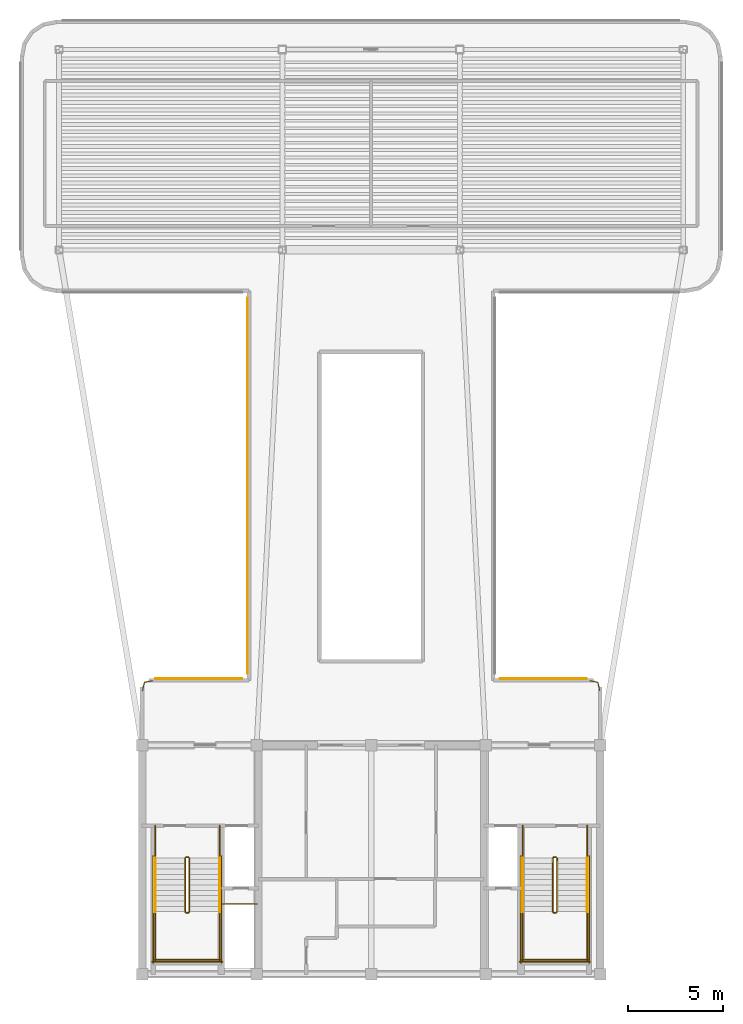
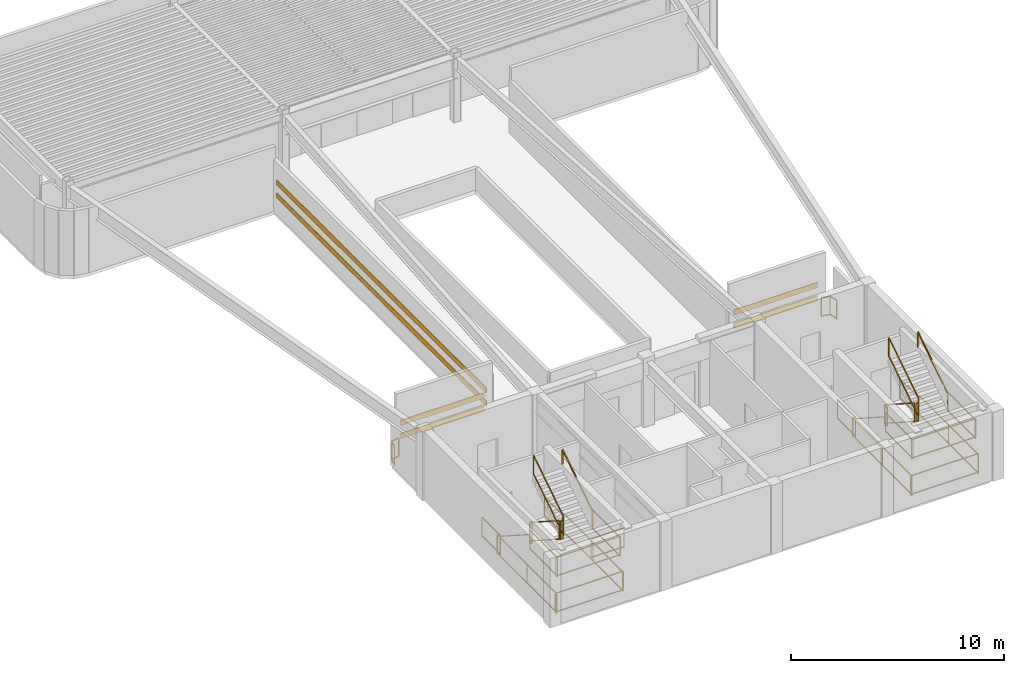
# One storey, part 5 of 6: 31 railings, 6 shading devices.
"""IFC4 building model written with IfcOpenShell, lengths in metres."""

from ifc_helpers import new_model, si_unit, direction, frame, origin, origin_2d, place, context, subcontext, project, spatial, rectangle, extrude, source, transform, mapped, material, layer, layer_set, material_profile, profile_set, type_object, element, save


model = new_model("IFC4")

# Units and contexts
model_context = context("Model", 3, precision=1e-05, world=origin(), true_north=direction((0.0, 1.0)))
body_context = subcontext(model_context, "Body", "Model", "MODEL_VIEW")
ifc_project = project(units=[si_unit("LENGTHUNIT", "METRE"), si_unit("AREAUNIT", "SQUARE_METRE"), si_unit("VOLUMEUNIT", "CUBIC_METRE"), si_unit("PLANEANGLEUNIT", "RADIAN"), si_unit("MASSUNIT", "GRAM", prefix="KILO")], contexts=[model_context])

# Site, building, storey
site_placement = place(None, origin())
site = spatial("IfcSite", under=ifc_project, at=site_placement, CompositionType="ELEMENT")
building_placement = place(site_placement, origin())
building = spatial("IfcBuilding", under=site, at=building_placement, Name="Brelvock Crest Care Tower", CompositionType="ELEMENT")
storey_placement = place(building_placement, frame((0.0, 0.0, 295.919921875)))
storey = spatial("IfcBuildingStorey", under=building, at=storey_placement, Name="L75", CompositionType="ELEMENT", Elevation=295.919921875)

# Railings
ifc_material_1 = material(Name="Steel Grade 350", Category="steel")
ifc_layer_1 = layer(ifc_material_1, 0.06005859375, Name="RL-GRD1")
ifc_layer_set_1 = layer_set([ifc_layer_1], Name="Steel Grade 350")
railing_type_1 = type_object("IfcRailingType", Name="RL-GRD1", PredefinedType="GUARDRAIL", material=ifc_layer_set_1)
railing_1_placement = place(storey_placement, frame((24.02001953125, 20.85009765625, 0.004150390625)))
element("IfcRailing", 1, at=railing_1_placement, inside=storey, type_object=railing_type_1, Name="L75 West Throat Corner Guard", PredefinedType="GUARDRAIL", context=body_context, shape_type="SweptSolid", body=[
    extrude(rectangle(XDim=0.048095703125, YDim=0.048095703125, at=origin_2d()), frame((0.00048828125, 0.001953125, 1.09619140625), z_axis=(0.21715477266, 0.976137185395, 0.0), x_axis=(-0.976137185395, 0.21715477266, 0.0)), (0.0, 0.0, 1.0), 0.45703125),
    extrude(rectangle(XDim=0.048095703125, YDim=0.048095703125, at=origin_2d()), frame((0.00048828125, 0.001953125, 0.054931640625), z_axis=(0.21715477266, 0.976137185395, 0.0), x_axis=(-0.976137185395, 0.21715477266, 0.0)), (0.0, 0.0, 1.0), 0.45703125),
    extrude(rectangle(XDim=0.048095703125, YDim=0.048095703125, at=origin_2d()), frame((0.10205078125, 0.4501953125, 1.09619140625), z_axis=(0.983193031384, 0.182569063749, 0.0), x_axis=(-0.182569063749, 0.983193031384, 0.0)), (0.0, 0.0, 1.0), 0.433349609375),
    extrude(rectangle(XDim=0.048095703125, YDim=0.048095703125, at=origin_2d()), frame((0.10205078125, 0.4501953125, 0.054931640625), z_axis=(0.983193031384, 0.182569063749, 0.0), x_axis=(-0.182569063749, 0.983193031384, 0.0)), (0.0, 0.0, 1.0), 0.433349609375),
    extrude(rectangle(XDim=0.0419921875, YDim=0.0419921875, at=origin_2d()), origin(), (0.0, 0.0, 1.0), 1.070068359375),
    extrude(rectangle(XDim=0.0419921875, YDim=0.0419921875, at=origin_2d()), frame((0.10009765625, 0.449951171875, 0.0)), (0.0, 0.0, 1.0), 1.070068359375),
    extrude(rectangle(XDim=0.0419921875, YDim=0.0419921875, at=origin_2d()), frame((0.530029296875, 0.52978515625, 0.0)), (0.0, 0.0, 1.0), 1.070068359375),
])
railing_2_placement = place(storey_placement, frame((47.449951171875, 21.3798828125, 0.004150390625)))
element("IfcRailing", 2, at=railing_2_placement, inside=storey, type_object=railing_type_1, Name="L75 East Throat Corner Guard", PredefinedType="GUARDRAIL", context=body_context, shape_type="SweptSolid", body=[
    extrude(rectangle(XDim=0.048095703125, YDim=0.048095703125, at=origin_2d()), frame((0.001953125, -0.000244140625, 1.09619140625), z_axis=(0.983193031384, -0.182569063749, 0.0), x_axis=(0.182569063749, 0.983193031384, 0.0)), (0.0, 0.0, 1.0), 0.433349609375),
    extrude(rectangle(XDim=0.048095703125, YDim=0.048095703125, at=origin_2d()), frame((0.001953125, -0.000244140625, 0.054931640625), z_axis=(0.983193031384, -0.182569063749, 0.0), x_axis=(0.182569063749, 0.983193031384, 0.0)), (0.0, 0.0, 1.0), 0.433349609375),
    extrude(rectangle(XDim=0.048095703125, YDim=0.048095703125, at=origin_2d()), frame((0.430419921875, -0.081787109375, 1.09619140625), z_axis=(0.21715477266, -0.976137185395, 0.0), x_axis=(0.976137185395, 0.21715477266, 0.0)), (0.0, 0.0, 1.0), 0.45703125),
    extrude(rectangle(XDim=0.048095703125, YDim=0.048095703125, at=origin_2d()), frame((0.430419921875, -0.081787109375, 0.054931640625), z_axis=(0.21715477266, -0.976137185395, 0.0), x_axis=(0.976137185395, 0.21715477266, 0.0)), (0.0, 0.0, 1.0), 0.45703125),
    extrude(rectangle(XDim=0.0419921875, YDim=0.0419921875, at=origin_2d()), origin(), (0.0, 0.0, 1.0), 1.070068359375),
    extrude(rectangle(XDim=0.0419921875, YDim=0.0419921875, at=origin_2d()), frame((0.429931640625, -0.079833984375, 0.0)), (0.0, 0.0, 1.0), 1.070068359375),
    extrude(rectangle(XDim=0.0419921875, YDim=0.0419921875, at=origin_2d()), frame((0.530029296875, -0.52978515625, 0.0)), (0.0, 0.0, 1.0), 1.070068359375),
])
ifc_layer_2 = layer(ifc_material_1, 0.050048828125, Name="RL-STG1")
ifc_layer_set_2 = layer_set([ifc_layer_2], Name="Steel Grade 350")
railing_type_2 = type_object("IfcRailingType", Name="RL-STG1", PredefinedType="GUARDRAIL", material=ifc_layer_set_2)
railing_3_placement = place(storey_placement, frame((26.260009765625, 12.080078125, 0.18017578125)))
element("IfcRailing", 3, at=railing_3_placement, inside=storey, type_object=railing_type_2, Name="L75 ST-1 stair guard 1", PredefinedType="GUARDRAIL", context=body_context, shape_type="SweptSolid", body=[
    extrude(rectangle(XDim=0.048095703125, YDim=0.048095703125, at=origin_2d()), frame((0.0, -0.001708984375, 1.116943359375), z_axis=(0.0, -0.841209454229, 0.540709398952), x_axis=(1.0, 0.0, 0.0)), (0.0, 0.0, 1.0), 3.32470703125),
    extrude(rectangle(XDim=0.048095703125, YDim=0.048095703125, at=origin_2d()), frame((0.0, -0.001708984375, 0.05615234375), z_axis=(0.0, -0.841209454229, 0.540709398952), x_axis=(1.0, 0.0, 0.0)), (0.0, 0.0, 1.0), 3.32470703125),
    extrude(rectangle(XDim=0.0419921875, YDim=0.0419921875, at=origin_2d()), origin(), (0.0, 0.0, 1.0), 1.08984375),
    extrude(rectangle(XDim=0.0419921875, YDim=0.0419921875, at=origin_2d()), frame((0.0, -2.800048828125, 1.7998046875)), (0.0, 0.0, 1.0), 1.08984375),
])
railing_4_placement = place(storey_placement, frame((26.31005859375, 9.22998046875, 1.97998046875)))
element("IfcRailing", 4, at=railing_4_placement, inside=storey, type_object=railing_type_2, Name="L75 ST-1 stair guard 2", PredefinedType="GUARDRAIL", context=body_context, shape_type="SweptSolid", body=[
    extrude(rectangle(XDim=0.048095703125, YDim=0.048095703125, at=origin_2d()), frame((0.001953125, 0.0, 1.11572265625), z_axis=(1.0, 0.0, 0.0), x_axis=(0.0, 1.0, 0.0)), (0.0, 0.0, 1.0), 0.115966796875),
    extrude(rectangle(XDim=0.048095703125, YDim=0.048095703125, at=origin_2d()), frame((0.001953125, 0.0, 0.054931640625), z_axis=(1.0, 0.0, 0.0), x_axis=(0.0, 1.0, 0.0)), (0.0, 0.0, 1.0), 0.115966796875),
    extrude(rectangle(XDim=0.0419921875, YDim=0.0419921875, at=origin_2d()), origin(), (0.0, 0.0, 1.0), 1.08984375),
    extrude(rectangle(XDim=0.0419921875, YDim=0.0419921875, at=origin_2d()), frame((0.119873046875, 0.0, 0.0)), (0.0, 0.0, 1.0), 1.08984375),
])
for number, where, name in (
    (5, (24.679931640625, 9.280029296875, 1.97998046875), "L75 ST-1 stair guard 3"),
    (6, (28.06005859375, 9.280029296875, 1.97998046875), "L75 ST-1 stair guard 4"),
):
    element("IfcRailing", number, at=place(storey_placement, frame(where)), inside=storey, type_object=railing_type_2, Name=name, PredefinedType="GUARDRAIL", context=body_context, shape_type="SweptSolid", body=[
        extrude(rectangle(XDim=0.048095703125, YDim=0.048095703125, at=origin_2d()), frame((0.0, -0.001953125, 1.11572265625), z_axis=(0.0, -1.0, 0.0), x_axis=(1.0, 0.0, 0.0)), (0.0, 0.0, 1.0), 2.576171875),
        extrude(rectangle(XDim=0.048095703125, YDim=0.048095703125, at=origin_2d()), frame((0.0, -0.001953125, 0.054931640625), z_axis=(0.0, -1.0, 0.0), x_axis=(1.0, 0.0, 0.0)), (0.0, 0.0, 1.0), 2.576171875),
        extrude(rectangle(XDim=0.0419921875, YDim=0.0419921875, at=origin_2d()), origin(), (0.0, 0.0, 1.0), 1.08984375),
        extrude(rectangle(XDim=0.0419921875, YDim=0.0419921875, at=origin_2d()), frame((0.0, -2.580078125, 0.0)), (0.0, 0.0, 1.0), 1.08984375),
    ])
railing_5_placement = place(storey_placement, frame((24.6298828125, 6.75, 1.97998046875)))
element("IfcRailing", 7, at=railing_5_placement, inside=storey, type_object=railing_type_2, Name="L75 ST-1 stair guard 5", PredefinedType="GUARDRAIL", context=body_context, shape_type="SweptSolid", body=[
    extrude(rectangle(XDim=0.048095703125, YDim=0.048095703125, at=origin_2d()), frame((0.001953125, 0.0, 1.11572265625), z_axis=(1.0, 0.0, 0.0), x_axis=(0.0, 1.0, 0.0)), (0.0, 0.0, 1.0), 3.476318359375),
    extrude(rectangle(XDim=0.048095703125, YDim=0.048095703125, at=origin_2d()), frame((0.001953125, 0.0, 0.054931640625), z_axis=(1.0, 0.0, 0.0), x_axis=(0.0, 1.0, 0.0)), (0.0, 0.0, 1.0), 3.476318359375),
    extrude(rectangle(XDim=0.0419921875, YDim=0.0419921875, at=origin_2d()), origin(), (0.0, 0.0, 1.0), 1.08984375),
    extrude(rectangle(XDim=0.0419921875, YDim=0.0419921875, at=origin_2d()), frame((3.480224609375, 0.0, 0.0)), (0.0, 0.0, 1.0), 1.08984375),
])
railing_6_placement = place(storey_placement, frame((26.47998046875, 9.280029296875, 2.16015625)))
element("IfcRailing", 8, at=railing_6_placement, inside=storey, type_object=railing_type_2, Name="L75 ST-1 stair guard 6", PredefinedType="GUARDRAIL", context=body_context, shape_type="SweptSolid", body=[
    extrude(rectangle(XDim=0.048095703125, YDim=0.048095703125, at=origin_2d()), frame((0.0, 0.001708984375, 1.116943359375), z_axis=(0.0, 0.841209454229, 0.540709398952), x_axis=(-1.0, 0.0, 0.0)), (0.0, 0.0, 1.0), 3.32470703125),
    extrude(rectangle(XDim=0.048095703125, YDim=0.048095703125, at=origin_2d()), frame((0.0, 0.001708984375, 0.05615234375), z_axis=(0.0, 0.841209454229, 0.540709398952), x_axis=(-1.0, 0.0, 0.0)), (0.0, 0.0, 1.0), 3.32470703125),
    extrude(rectangle(XDim=0.0419921875, YDim=0.0419921875, at=origin_2d()), origin(), (0.0, 0.0, 1.0), 1.08984375),
    extrude(rectangle(XDim=0.0419921875, YDim=0.0419921875, at=origin_2d()), frame((0.0, 2.800048828125, 1.7998046875)), (0.0, 0.0, 1.0), 1.08984375),
])
railing_7_placement = place(storey_placement, frame((26.31005859375, 12.1298828125, 0.0)))
element("IfcRailing", 9, at=railing_7_placement, inside=storey, type_object=railing_type_2, Name="L75 ST-1 stair guard 7", PredefinedType="GUARDRAIL", context=body_context, shape_type="SweptSolid", body=[
    extrude(rectangle(XDim=0.048095703125, YDim=0.048095703125, at=origin_2d()), frame((0.001953125, 0.0, 1.11572265625), z_axis=(1.0, 0.0, 0.0), x_axis=(0.0, 1.0, 0.0)), (0.0, 0.0, 1.0), 0.115966796875),
    extrude(rectangle(XDim=0.048095703125, YDim=0.048095703125, at=origin_2d()), frame((0.001953125, 0.0, 0.054931640625), z_axis=(1.0, 0.0, 0.0), x_axis=(0.0, 1.0, 0.0)), (0.0, 0.0, 1.0), 0.115966796875),
    extrude(rectangle(XDim=0.0419921875, YDim=0.0419921875, at=origin_2d()), origin(), (0.0, 0.0, 1.0), 1.08984375),
    extrude(rectangle(XDim=0.0419921875, YDim=0.0419921875, at=origin_2d()), frame((0.119873046875, 0.0, 0.0)), (0.0, 0.0, 1.0), 1.08984375),
])
for number, where, name in (
    (10, (24.679931640625, 13.780029296875, 0.0), "L75 ST-1 stair guard 8"),
    (11, (28.06005859375, 13.780029296875, 0.0), "L75 ST-1 stair guard 9"),
):
    element("IfcRailing", number, at=place(storey_placement, frame(where)), inside=storey, type_object=railing_type_2, Name=name, PredefinedType="GUARDRAIL", context=body_context, shape_type="SweptSolid", body=[
        extrude(rectangle(XDim=0.048095703125, YDim=0.048095703125, at=origin_2d()), frame((0.0, -0.001953125, 1.11572265625), z_axis=(0.0, -1.0, 0.0), x_axis=(1.0, 0.0, 0.0)), (0.0, 0.0, 1.0), 1.696044921875),
        extrude(rectangle(XDim=0.048095703125, YDim=0.048095703125, at=origin_2d()), frame((0.0, -0.001953125, 0.054931640625), z_axis=(0.0, -1.0, 0.0), x_axis=(1.0, 0.0, 0.0)), (0.0, 0.0, 1.0), 1.696044921875),
        extrude(rectangle(XDim=0.0419921875, YDim=0.0419921875, at=origin_2d()), origin(), (0.0, 0.0, 1.0), 1.08984375),
        extrude(rectangle(XDim=0.0419921875, YDim=0.0419921875, at=origin_2d()), frame((0.0, -1.699951171875, 0.0)), (0.0, 0.0, 1.0), 1.08984375),
    ])
for number, where, name in (
    (12, (24.580078125, 12.179931640625, 0.0), "L75 ST-1 stair guard 10"),
    (13, (28.159912109375, 12.179931640625, 0.0), "L75 ST-1 stair guard 11"),
):
    element("IfcRailing", number, at=place(storey_placement, frame(where)), inside=storey, type_object=railing_type_2, Name=name, PredefinedType="GUARDRAIL", context=body_context, shape_type="SweptSolid", body=[
        extrude(rectangle(XDim=0.048095703125, YDim=0.048095703125, at=origin_2d()), frame((0.0, -0.001953125, 1.11572265625), z_axis=(0.0, -1.0, 0.0), x_axis=(1.0, 0.0, 0.0)), (0.0, 0.0, 1.0), 5.575927734375),
        extrude(rectangle(XDim=0.048095703125, YDim=0.048095703125, at=origin_2d()), frame((0.0, -0.001953125, 0.054931640625), z_axis=(0.0, -1.0, 0.0), x_axis=(1.0, 0.0, 0.0)), (0.0, 0.0, 1.0), 5.575927734375),
        extrude(rectangle(XDim=0.0419921875, YDim=0.0419921875, at=origin_2d()), origin(), (0.0, 0.0, 1.0), 1.08984375),
        extrude(rectangle(XDim=0.0419921875, YDim=0.0419921875, at=origin_2d()), frame((0.0, -2.7900390625, 0.0)), (0.0, 0.0, 1.0), 1.08984375),
        extrude(rectangle(XDim=0.0419921875, YDim=0.0419921875, at=origin_2d()), frame((0.0, -5.579833984375, 0.0)), (0.0, 0.0, 1.0), 1.08984375),
    ])
railing_8_placement = place(storey_placement, frame((24.530029296875, 6.64990234375, 0.0)))
element("IfcRailing", 14, at=railing_8_placement, inside=storey, type_object=railing_type_2, Name="L75 ST-1 stair guard 12", PredefinedType="GUARDRAIL", context=body_context, shape_type="SweptSolid", body=[
    extrude(rectangle(XDim=0.048095703125, YDim=0.048095703125, at=origin_2d()), frame((0.001953125, 0.0, 1.11572265625), z_axis=(1.0, 0.0, 0.0), x_axis=(0.0, 1.0, 0.0)), (0.0, 0.0, 1.0), 3.676025390625),
    extrude(rectangle(XDim=0.048095703125, YDim=0.048095703125, at=origin_2d()), frame((0.001953125, 0.0, 0.054931640625), z_axis=(1.0, 0.0, 0.0), x_axis=(0.0, 1.0, 0.0)), (0.0, 0.0, 1.0), 3.676025390625),
    extrude(rectangle(XDim=0.0419921875, YDim=0.0419921875, at=origin_2d()), origin(), (0.0, 0.0, 1.0), 1.08984375),
    extrude(rectangle(XDim=0.0419921875, YDim=0.0419921875, at=origin_2d()), frame((3.679931640625, 0.0, 0.0)), (0.0, 0.0, 1.0), 1.08984375),
])
railing_9_placement = place(storey_placement, frame((45.52001953125, 12.080078125, 0.18017578125)))
element("IfcRailing", 15, at=railing_9_placement, inside=storey, type_object=railing_type_2, Name="L75 ST-2 stair guard 1", PredefinedType="GUARDRAIL", context=body_context, shape_type="SweptSolid", body=[
    extrude(rectangle(XDim=0.048095703125, YDim=0.048095703125, at=origin_2d()), frame((0.0, -0.001708984375, 1.116943359375), z_axis=(0.0, -0.841209454229, 0.540709398952), x_axis=(1.0, 0.0, 0.0)), (0.0, 0.0, 1.0), 3.32470703125),
    extrude(rectangle(XDim=0.048095703125, YDim=0.048095703125, at=origin_2d()), frame((0.0, -0.001708984375, 0.05615234375), z_axis=(0.0, -0.841209454229, 0.540709398952), x_axis=(1.0, 0.0, 0.0)), (0.0, 0.0, 1.0), 3.32470703125),
    extrude(rectangle(XDim=0.0419921875, YDim=0.0419921875, at=origin_2d()), origin(), (0.0, 0.0, 1.0), 1.08984375),
    extrude(rectangle(XDim=0.0419921875, YDim=0.0419921875, at=origin_2d()), frame((0.0, -2.800048828125, 1.7998046875)), (0.0, 0.0, 1.0), 1.08984375),
])
railing_10_placement = place(storey_placement, frame((45.570068359375, 9.22998046875, 1.97998046875)))
element("IfcRailing", 16, at=railing_10_placement, inside=storey, type_object=railing_type_2, Name="L75 ST-2 stair guard 2", PredefinedType="GUARDRAIL", context=body_context, shape_type="SweptSolid", body=[
    extrude(rectangle(XDim=0.048095703125, YDim=0.048095703125, at=origin_2d()), frame((0.001953125, 0.0, 1.11572265625), z_axis=(1.0, 0.0, 0.0), x_axis=(0.0, 1.0, 0.0)), (0.0, 0.0, 1.0), 0.115966796875),
    extrude(rectangle(XDim=0.048095703125, YDim=0.048095703125, at=origin_2d()), frame((0.001953125, 0.0, 0.054931640625), z_axis=(1.0, 0.0, 0.0), x_axis=(0.0, 1.0, 0.0)), (0.0, 0.0, 1.0), 0.115966796875),
    extrude(rectangle(XDim=0.0419921875, YDim=0.0419921875, at=origin_2d()), origin(), (0.0, 0.0, 1.0), 1.08984375),
    extrude(rectangle(XDim=0.0419921875, YDim=0.0419921875, at=origin_2d()), frame((0.119873046875, 0.0, 0.0)), (0.0, 0.0, 1.0), 1.08984375),
])
for number, where, name in (
    (17, (43.93994140625, 9.280029296875, 1.97998046875), "L75 ST-2 stair guard 3"),
    (18, (47.320068359375, 9.280029296875, 1.97998046875), "L75 ST-2 stair guard 4"),
):
    element("IfcRailing", number, at=place(storey_placement, frame(where)), inside=storey, type_object=railing_type_2, Name=name, PredefinedType="GUARDRAIL", context=body_context, shape_type="SweptSolid", body=[
        extrude(rectangle(XDim=0.048095703125, YDim=0.048095703125, at=origin_2d()), frame((0.0, -0.001953125, 1.11572265625), z_axis=(0.0, -1.0, 0.0), x_axis=(1.0, 0.0, 0.0)), (0.0, 0.0, 1.0), 2.576171875),
        extrude(rectangle(XDim=0.048095703125, YDim=0.048095703125, at=origin_2d()), frame((0.0, -0.001953125, 0.054931640625), z_axis=(0.0, -1.0, 0.0), x_axis=(1.0, 0.0, 0.0)), (0.0, 0.0, 1.0), 2.576171875),
        extrude(rectangle(XDim=0.0419921875, YDim=0.0419921875, at=origin_2d()), origin(), (0.0, 0.0, 1.0), 1.08984375),
        extrude(rectangle(XDim=0.0419921875, YDim=0.0419921875, at=origin_2d()), frame((0.0, -2.580078125, 0.0)), (0.0, 0.0, 1.0), 1.08984375),
    ])
railing_11_placement = place(storey_placement, frame((43.889892578125, 6.75, 1.97998046875)))
element("IfcRailing", 19, at=railing_11_placement, inside=storey, type_object=railing_type_2, Name="L75 ST-2 stair guard 5", PredefinedType="GUARDRAIL", context=body_context, shape_type="SweptSolid", body=[
    extrude(rectangle(XDim=0.048095703125, YDim=0.048095703125, at=origin_2d()), frame((0.001953125, 0.0, 1.11572265625), z_axis=(1.0, 0.0, 0.0), x_axis=(0.0, 1.0, 0.0)), (0.0, 0.0, 1.0), 3.476318359375),
    extrude(rectangle(XDim=0.048095703125, YDim=0.048095703125, at=origin_2d()), frame((0.001953125, 0.0, 0.054931640625), z_axis=(1.0, 0.0, 0.0), x_axis=(0.0, 1.0, 0.0)), (0.0, 0.0, 1.0), 3.476318359375),
    extrude(rectangle(XDim=0.0419921875, YDim=0.0419921875, at=origin_2d()), origin(), (0.0, 0.0, 1.0), 1.08984375),
    extrude(rectangle(XDim=0.0419921875, YDim=0.0419921875, at=origin_2d()), frame((3.480224609375, 0.0, 0.0)), (0.0, 0.0, 1.0), 1.08984375),
])
railing_12_placement = place(storey_placement, frame((45.739990234375, 9.280029296875, 2.16015625)))
element("IfcRailing", 20, at=railing_12_placement, inside=storey, type_object=railing_type_2, Name="L75 ST-2 stair guard 6", PredefinedType="GUARDRAIL", context=body_context, shape_type="SweptSolid", body=[
    extrude(rectangle(XDim=0.048095703125, YDim=0.048095703125, at=origin_2d()), frame((0.0, 0.001708984375, 1.116943359375), z_axis=(0.0, 0.841209454229, 0.540709398952), x_axis=(-1.0, 0.0, 0.0)), (0.0, 0.0, 1.0), 3.32470703125),
    extrude(rectangle(XDim=0.048095703125, YDim=0.048095703125, at=origin_2d()), frame((0.0, 0.001708984375, 0.05615234375), z_axis=(0.0, 0.841209454229, 0.540709398952), x_axis=(-1.0, 0.0, 0.0)), (0.0, 0.0, 1.0), 3.32470703125),
    extrude(rectangle(XDim=0.0419921875, YDim=0.0419921875, at=origin_2d()), origin(), (0.0, 0.0, 1.0), 1.08984375),
    extrude(rectangle(XDim=0.0419921875, YDim=0.0419921875, at=origin_2d()), frame((0.0, 2.800048828125, 1.7998046875)), (0.0, 0.0, 1.0), 1.08984375),
])
railing_13_placement = place(storey_placement, frame((45.570068359375, 12.1298828125, 0.0)))
element("IfcRailing", 21, at=railing_13_placement, inside=storey, type_object=railing_type_2, Name="L75 ST-2 stair guard 7", PredefinedType="GUARDRAIL", context=body_context, shape_type="SweptSolid", body=[
    extrude(rectangle(XDim=0.048095703125, YDim=0.048095703125, at=origin_2d()), frame((0.001953125, 0.0, 1.11572265625), z_axis=(1.0, 0.0, 0.0), x_axis=(0.0, 1.0, 0.0)), (0.0, 0.0, 1.0), 0.115966796875),
    extrude(rectangle(XDim=0.048095703125, YDim=0.048095703125, at=origin_2d()), frame((0.001953125, 0.0, 0.054931640625), z_axis=(1.0, 0.0, 0.0), x_axis=(0.0, 1.0, 0.0)), (0.0, 0.0, 1.0), 0.115966796875),
    extrude(rectangle(XDim=0.0419921875, YDim=0.0419921875, at=origin_2d()), origin(), (0.0, 0.0, 1.0), 1.08984375),
    extrude(rectangle(XDim=0.0419921875, YDim=0.0419921875, at=origin_2d()), frame((0.119873046875, 0.0, 0.0)), (0.0, 0.0, 1.0), 1.08984375),
])
for number, where, name in (
    (22, (43.93994140625, 13.780029296875, 0.0), "L75 ST-2 stair guard 8"),
    (23, (47.320068359375, 13.780029296875, 0.0), "L75 ST-2 stair guard 9"),
):
    element("IfcRailing", number, at=place(storey_placement, frame(where)), inside=storey, type_object=railing_type_2, Name=name, PredefinedType="GUARDRAIL", context=body_context, shape_type="SweptSolid", body=[
        extrude(rectangle(XDim=0.048095703125, YDim=0.048095703125, at=origin_2d()), frame((0.0, -0.001953125, 1.11572265625), z_axis=(0.0, -1.0, 0.0), x_axis=(1.0, 0.0, 0.0)), (0.0, 0.0, 1.0), 1.696044921875),
        extrude(rectangle(XDim=0.048095703125, YDim=0.048095703125, at=origin_2d()), frame((0.0, -0.001953125, 0.054931640625), z_axis=(0.0, -1.0, 0.0), x_axis=(1.0, 0.0, 0.0)), (0.0, 0.0, 1.0), 1.696044921875),
        extrude(rectangle(XDim=0.0419921875, YDim=0.0419921875, at=origin_2d()), origin(), (0.0, 0.0, 1.0), 1.08984375),
        extrude(rectangle(XDim=0.0419921875, YDim=0.0419921875, at=origin_2d()), frame((0.0, -1.699951171875, 0.0)), (0.0, 0.0, 1.0), 1.08984375),
    ])
for number, where, name in (
    (24, (43.840087890625, 12.179931640625, 0.0), "L75 ST-2 stair guard 10"),
    (25, (47.419921875, 12.179931640625, 0.0), "L75 ST-2 stair guard 11"),
):
    element("IfcRailing", number, at=place(storey_placement, frame(where)), inside=storey, type_object=railing_type_2, Name=name, PredefinedType="GUARDRAIL", context=body_context, shape_type="SweptSolid", body=[
        extrude(rectangle(XDim=0.048095703125, YDim=0.048095703125, at=origin_2d()), frame((0.0, -0.001953125, 1.11572265625), z_axis=(0.0, -1.0, 0.0), x_axis=(1.0, 0.0, 0.0)), (0.0, 0.0, 1.0), 5.575927734375),
        extrude(rectangle(XDim=0.048095703125, YDim=0.048095703125, at=origin_2d()), frame((0.0, -0.001953125, 0.054931640625), z_axis=(0.0, -1.0, 0.0), x_axis=(1.0, 0.0, 0.0)), (0.0, 0.0, 1.0), 5.575927734375),
        extrude(rectangle(XDim=0.0419921875, YDim=0.0419921875, at=origin_2d()), origin(), (0.0, 0.0, 1.0), 1.08984375),
        extrude(rectangle(XDim=0.0419921875, YDim=0.0419921875, at=origin_2d()), frame((0.0, -2.7900390625, 0.0)), (0.0, 0.0, 1.0), 1.08984375),
        extrude(rectangle(XDim=0.0419921875, YDim=0.0419921875, at=origin_2d()), frame((0.0, -5.579833984375, 0.0)), (0.0, 0.0, 1.0), 1.08984375),
    ])
railing_14_placement = place(storey_placement, frame((43.7900390625, 6.64990234375, 0.0)))
element("IfcRailing", 26, at=railing_14_placement, inside=storey, type_object=railing_type_2, Name="L75 ST-2 stair guard 12", PredefinedType="GUARDRAIL", context=body_context, shape_type="SweptSolid", body=[
    extrude(rectangle(XDim=0.048095703125, YDim=0.048095703125, at=origin_2d()), frame((0.001953125, 0.0, 1.11572265625), z_axis=(1.0, 0.0, 0.0), x_axis=(0.0, 1.0, 0.0)), (0.0, 0.0, 1.0), 3.676025390625),
    extrude(rectangle(XDim=0.048095703125, YDim=0.048095703125, at=origin_2d()), frame((0.001953125, 0.0, 0.054931640625), z_axis=(1.0, 0.0, 0.0), x_axis=(0.0, 1.0, 0.0)), (0.0, 0.0, 1.0), 3.676025390625),
    extrude(rectangle(XDim=0.0419921875, YDim=0.0419921875, at=origin_2d()), origin(), (0.0, 0.0, 1.0), 1.08984375),
    extrude(rectangle(XDim=0.0419921875, YDim=0.0419921875, at=origin_2d()), frame((3.679931640625, 0.0, 0.0)), (0.0, 0.0, 1.0), 1.08984375),
])
railing_15_placement = place(storey_placement, frame((28.219970703125, 9.679931640625, 0.0)))
element("IfcRailing", 27, at=railing_15_placement, inside=storey, type_object=railing_type_2, Name="L75 Fire Riser Threshold Guard", PredefinedType="GUARDRAIL", context=body_context, shape_type="SweptSolid", body=[
    extrude(rectangle(XDim=0.048095703125, YDim=0.048095703125, at=origin_2d()), frame((0.001953125, 0.0, 1.11572265625), z_axis=(1.0, 0.0, 0.0), x_axis=(0.0, 1.0, 0.0)), (0.0, 0.0, 1.0), 1.776123046875),
    extrude(rectangle(XDim=0.048095703125, YDim=0.048095703125, at=origin_2d()), frame((0.001953125, 0.0, 0.054931640625), z_axis=(1.0, 0.0, 0.0), x_axis=(0.0, 1.0, 0.0)), (0.0, 0.0, 1.0), 1.776123046875),
    extrude(rectangle(XDim=0.0419921875, YDim=0.0419921875, at=origin_2d()), origin(), (0.0, 0.0, 1.0), 1.08984375),
    extrude(rectangle(XDim=0.0419921875, YDim=0.0419921875, at=origin_2d()), frame((1.780029296875, 0.0, 0.0)), (0.0, 0.0, 1.0), 1.08984375),
])
ifc_layer_3 = layer(ifc_material_1, 0.048095703125, Name="RL-STH1")
ifc_layer_set_3 = layer_set([ifc_layer_3], Name="Steel Grade 350")
railing_type_3 = type_object("IfcRailingType", Name="RL-STH1", PredefinedType="HANDRAIL", material=ifc_layer_set_3)
railing_16_placement = place(storey_placement, frame((24.679931640625, 12.080078125, 0.18017578125)))
element("IfcRailing", 28, at=railing_16_placement, inside=storey, type_object=railing_type_3, Name="L75 ST-1 stair handrail 1", PredefinedType="HANDRAIL", context=body_context, shape_type="SweptSolid", body=[
    extrude(rectangle(XDim=0.048095703125, YDim=0.048095703125, at=origin_2d()), frame((0.0, -0.001708984375, 0.876953125), z_axis=(0.0, -0.841209454229, 0.540709398952), x_axis=(1.0, 0.0, 0.0)), (0.0, 0.0, 1.0), 3.32470703125),
    extrude(rectangle(XDim=0.0419921875, YDim=0.0419921875, at=origin_2d()), origin(), (0.0, 0.0, 1.0), 0.849853515625),
    extrude(rectangle(XDim=0.0419921875, YDim=0.0419921875, at=origin_2d()), frame((0.0, -2.800048828125, 1.7998046875)), (0.0, 0.0, 1.0), 0.849853515625),
])
railing_17_placement = place(storey_placement, frame((28.06005859375, 9.280029296875, 2.16015625)))
element("IfcRailing", 29, at=railing_17_placement, inside=storey, type_object=railing_type_3, Name="L75 ST-1 stair handrail 2", PredefinedType="HANDRAIL", context=body_context, shape_type="SweptSolid", body=[
    extrude(rectangle(XDim=0.048095703125, YDim=0.048095703125, at=origin_2d()), frame((0.0, 0.001708984375, 0.876953125), z_axis=(0.0, 0.841209454229, 0.540709398952), x_axis=(-1.0, 0.0, 0.0)), (0.0, 0.0, 1.0), 3.32470703125),
    extrude(rectangle(XDim=0.0419921875, YDim=0.0419921875, at=origin_2d()), origin(), (0.0, 0.0, 1.0), 0.849853515625),
    extrude(rectangle(XDim=0.0419921875, YDim=0.0419921875, at=origin_2d()), frame((0.0, 2.800048828125, 1.7998046875)), (0.0, 0.0, 1.0), 0.849853515625),
])
railing_18_placement = place(storey_placement, frame((43.93994140625, 12.080078125, 0.18017578125)))
element("IfcRailing", 30, at=railing_18_placement, inside=storey, type_object=railing_type_3, Name="L75 ST-2 stair handrail 1", PredefinedType="HANDRAIL", context=body_context, shape_type="SweptSolid", body=[
    extrude(rectangle(XDim=0.048095703125, YDim=0.048095703125, at=origin_2d()), frame((0.0, -0.001708984375, 0.876953125), z_axis=(0.0, -0.841209454229, 0.540709398952), x_axis=(1.0, 0.0, 0.0)), (0.0, 0.0, 1.0), 3.32470703125),
    extrude(rectangle(XDim=0.0419921875, YDim=0.0419921875, at=origin_2d()), origin(), (0.0, 0.0, 1.0), 0.849853515625),
    extrude(rectangle(XDim=0.0419921875, YDim=0.0419921875, at=origin_2d()), frame((0.0, -2.800048828125, 1.7998046875)), (0.0, 0.0, 1.0), 0.849853515625),
])
railing_19_placement = place(storey_placement, frame((47.320068359375, 9.280029296875, 2.16015625)))
element("IfcRailing", 31, at=railing_19_placement, inside=storey, type_object=railing_type_3, Name="L75 ST-2 stair handrail 2", PredefinedType="HANDRAIL", context=body_context, shape_type="SweptSolid", body=[
    extrude(rectangle(XDim=0.048095703125, YDim=0.048095703125, at=origin_2d()), frame((0.0, 0.001708984375, 0.876953125), z_axis=(0.0, 0.841209454229, 0.540709398952), x_axis=(-1.0, 0.0, 0.0)), (0.0, 0.0, 1.0), 3.32470703125),
    extrude(rectangle(XDim=0.0419921875, YDim=0.0419921875, at=origin_2d()), origin(), (0.0, 0.0, 1.0), 0.849853515625),
    extrude(rectangle(XDim=0.0419921875, YDim=0.0419921875, at=origin_2d()), frame((0.0, 2.800048828125, 1.7998046875)), (0.0, 0.0, 1.0), 0.849853515625),
])

# Shading devices
ifc_material_2 = material(Name="Aluminium 6063-T6", Category="aluminium")
ifc_material_profile_1 = material_profile(ifc_material_2, rectangle(XDim=0.044921875, YDim=0.300048828125, at=origin_2d()), Name="LOUVRE45x300")
ifc_profile_set_1 = profile_set([ifc_material_profile_1], Name="Aluminium 6063-T6")
shading_device_type_1 = type_object("IfcShadingDeviceType", Name="SHD-SH1", PredefinedType="SHUTTER", material=ifc_profile_set_1)
shared_shape_1 = source(origin(), body_context, "Body", "SweptSolid", [
    extrude(rectangle(XDim=0.044921875, YDim=0.300048828125, at=origin_2d()), origin(), (0.0, 0.0, 1.0), 4.550048828125),
])
for number, where, z_axis, x_axis, name in (
    (32, (24.699951171875, 21.47509765625, 1.10009765625), (1.0, 0.0, 0.0), (0.0, 1.0, 0.0), "L75 Crown Acoustic Louvre 11-1"),
    (33, (24.699951171875, 21.47509765625, 1.85009765625), (1.0, 0.0, 0.0), (0.0, 1.0, 0.0), "L75 Crown Acoustic Louvre 11-2"),
    (34, (42.75, 21.47509765625, 1.10009765625), (1.0, 0.0, 0.0), (0.0, 1.0, 0.0), "L75 Crown Acoustic Louvre 35-1"),
    (35, (42.75, 21.47509765625, 1.85009765625), (1.0, 0.0, 0.0), (0.0, 1.0, 0.0), "L75 Crown Acoustic Louvre 35-2"),
):
    element("IfcShadingDevice", number, at=place(storey_placement, frame(where, z_axis=z_axis, x_axis=x_axis)), inside=storey, type_object=shading_device_type_1, Name=name, PredefinedType="SHUTTER", context=body_context, shape_type="MappedRepresentation", body=[
        mapped(shared_shape_1, transform((0.0, 0.0, 0.0), x_axis=(1.0, 0.0, 0.0), y_axis=(0.0, 1.0, 0.0), z_axis=(0.0, 0.0, 1.0), scale=1.0)),
    ])
ifc_material_profile_2 = material_profile(ifc_material_2, rectangle(XDim=0.044921875, YDim=0.300048828125, at=origin_2d()), Name="LOUVRE45x300")
ifc_profile_set_2 = profile_set([ifc_material_profile_2], Name="Aluminium 6063-T6")
shading_device_type_2 = type_object("IfcShadingDeviceType", Name="SHD-LV1", PredefinedType="JALOUSIE", material=ifc_profile_set_2)
shared_shape_2 = source(origin(), body_context, "Body", "SweptSolid", [
    extrude(rectangle(XDim=0.044921875, YDim=0.300048828125, at=origin_2d()), origin(), (0.0, 0.0, 1.0), 19.699951171875),
])
for number, where, z_axis, x_axis, name in (
    (36, (29.52490234375, 21.75, 1.10009765625), (0.0, 1.0, 0.0), (-1.0, 0.0, 0.0), "L75 Crown Acoustic Louvre 12-1"),
    (37, (29.52490234375, 21.75, 1.85009765625), (0.0, 1.0, 0.0), (-1.0, 0.0, 0.0), "L75 Crown Acoustic Louvre 12-2"),
):
    element("IfcShadingDevice", number, at=place(storey_placement, frame(where, z_axis=z_axis, x_axis=x_axis)), inside=storey, type_object=shading_device_type_2, Name=name, PredefinedType="JALOUSIE", context=body_context, shape_type="MappedRepresentation", body=[
        mapped(shared_shape_2, transform((0.0, 0.0, 0.0), x_axis=(1.0, 0.0, 0.0), y_axis=(0.0, 1.0, 0.0), z_axis=(0.0, 0.0, 1.0), scale=1.0)),
    ])

save(model, "model.ifc")
